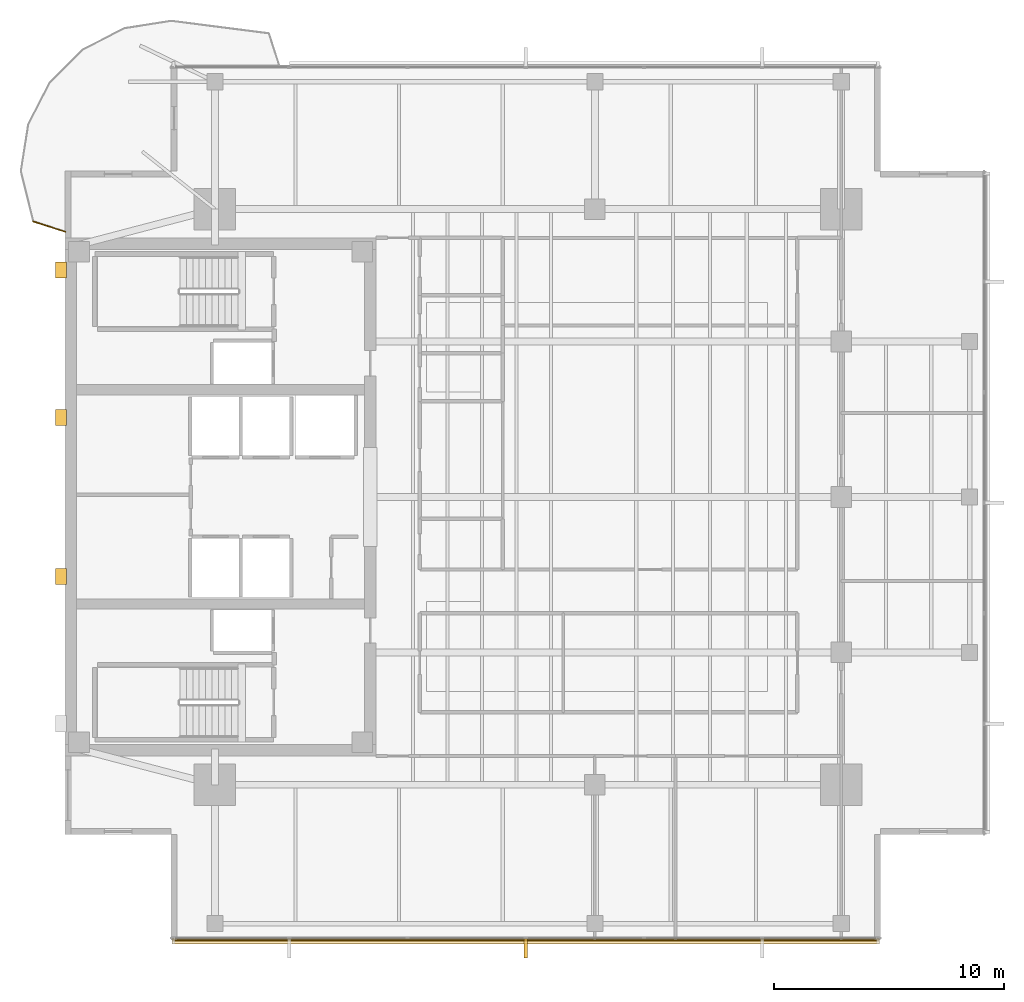
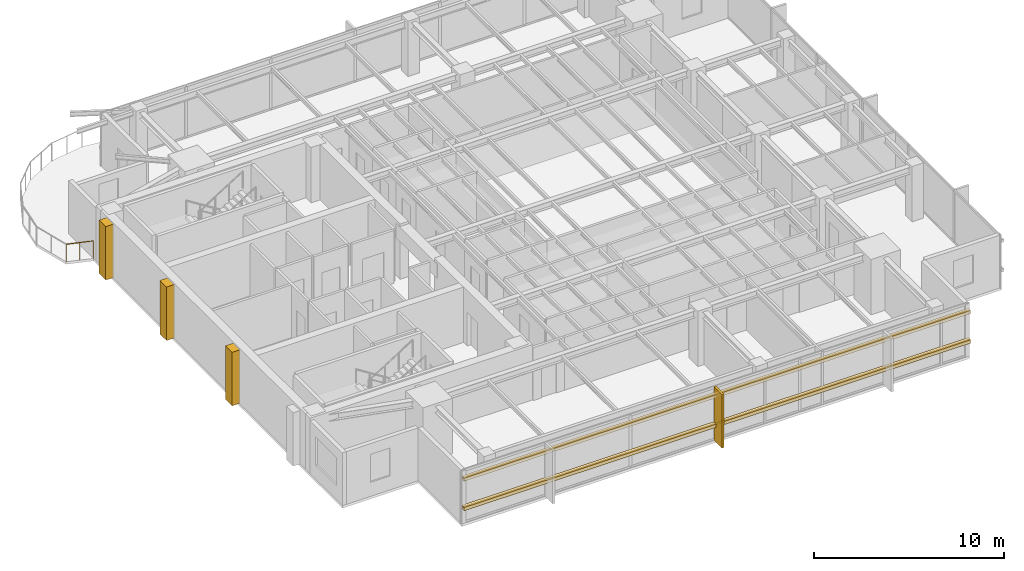
# One storey, part 12 of 14: 6 coverings, 2 shading devices, 1 railing.
"""IFC4 building model written with IfcOpenShell, lengths in metres."""

import ifcopenshell
import ifcopenshell.guid

model = None  # the IFC model being written
_history = None  # IfcOwnerHistory: only IFC2X3 demands one
_inside = {}  # id of a spatial element -> (the spatial element, [elements in it])
_under = {}  # id of a project, library or spatial element -> (it, [spatial elements below it])
_declared = {}  # id of a project -> (the project, [libraries it declares])
_typed = {}  # id of a type object -> (the type object, [elements of that type])
_made_of = {}  # id of a material, layer set ... -> (it, [elements and type objects made of it])


def new_model(schema):
    """Start an empty IFC model of exactly this schema.

    Asked for "IFC4X3", IfcOpenShell would pick the latest addendum, in which some entities
    have other attributes; the version numbers below select the first issue.
    IFC2X3 requires an IfcOwnerHistory on every rooted entity: one is made here for all.
    """
    global model, _history
    if schema == "IFC4X3":
        model = ifcopenshell.file(schema_version=(4, 3, 0, 0))
    else:
        model = ifcopenshell.file(schema=schema)
    _inside.clear()
    _under.clear()
    _declared.clear()
    _typed.clear()
    _made_of.clear()
    _history = None
    if model.schema == "IFC2X3":
        org = make("IfcOrganization", Name="unknown")
        user = make(
            "IfcPersonAndOrganization",
            ThePerson=make("IfcPerson", FamilyName="unknown"),
            TheOrganization=org,
        )
        app = make(
            "IfcApplication",
            ApplicationDeveloper=org,
            Version="unknown",
            ApplicationFullName="unknown",
            ApplicationIdentifier="unknown",
        )
        _history = make(
            "IfcOwnerHistory",
            OwningUser=user,
            OwningApplication=app,
            ChangeAction="ADDED",
            CreationDate=0,
        )
    return model


def make(cls, **values):
    """One entity of the class cls with the attributes given. An attribute that is None is left unset."""
    return model.create_entity(
        cls, **{name: value for name, value in values.items() if value is not None}
    )


def rooted(cls, **values):
    """An entity with a GlobalId (a new one), such as an element, a storey or a relation."""
    return make(cls, GlobalId=ifcopenshell.guid.new(), OwnerHistory=_history, **values)


def si_unit(unit_type, name, prefix=None):
    """IfcSIUnit, for example si_unit("LENGTHUNIT", "METRE", prefix="MILLI")."""
    return make("IfcSIUnit", UnitType=unit_type, Prefix=prefix, Name=name)


def assignment(units):
    """IfcUnitAssignment: the units of a project."""
    return None if units is None else make("IfcUnitAssignment", Units=units)


def point(xyz):
    """IfcCartesianPoint."""
    return None if xyz is None else make("IfcCartesianPoint", Coordinates=xyz)


def direction(xyz):
    """IfcDirection."""
    return None if xyz is None else make("IfcDirection", DirectionRatios=xyz)


def frame(location, z_axis=None, x_axis=None):
    """IfcAxis2Placement3D, a coordinate frame: its origin and axes. An axis left out is left unset."""
    return make(
        "IfcAxis2Placement3D",
        Location=point(location),
        Axis=direction(z_axis),
        RefDirection=direction(x_axis),
    )


def frame_2d(location, x_axis=None):
    """IfcAxis2Placement2D, a coordinate frame in the plane: its origin and x axis."""
    return make(
        "IfcAxis2Placement2D", Location=point(location), RefDirection=direction(x_axis)
    )


def origin():
    """The frame at (0, 0, 0) with its axes left unset."""
    return frame((0.0, 0.0, 0.0))


def origin_2d():
    """The frame at (0, 0) in the plane with its x axis left unset."""
    return frame_2d((0.0, 0.0))


def place(relative_to, where):
    """IfcLocalPlacement: puts the frame where relative to a parent placement (None: the world)."""
    return make(
        "IfcLocalPlacement", PlacementRelTo=relative_to, RelativePlacement=where
    )


def context(
    kind, dimensions, precision=None, world=None, true_north=None, identifier=None
):
    """IfcGeometricRepresentationContext, for example the 3D "Model" context."""
    return make(
        "IfcGeometricRepresentationContext",
        ContextIdentifier=identifier,
        ContextType=kind,
        CoordinateSpaceDimension=dimensions,
        Precision=precision,
        WorldCoordinateSystem=world,
        TrueNorth=true_north,
    )


def subcontext(parent, identifier, kind, view, scale=None):
    """IfcGeometricRepresentationSubContext, for example "Body" below "Model"."""
    return make(
        "IfcGeometricRepresentationSubContext",
        ContextIdentifier=identifier,
        ContextType=kind,
        ParentContext=parent,
        TargetScale=scale,
        TargetView=view,
    )


def project(units=None, contexts=None):
    """IfcProject with its units and contexts."""
    return rooted(
        "IfcProject",
        Name="project",
        RepresentationContexts=contexts,
        UnitsInContext=assignment(units),
    )


def spatial(cls, under=None, at=None, **own):
    """A site, building, storey or space (cls), placed at a placement, below another one or the project."""
    s = rooted(cls, ObjectPlacement=at, **own)
    if under is not None:
        _under.setdefault(under.id(), (under, []))[1].append(s)
    return s


def polyline(points):
    """IfcPolyline through the points."""
    return make("IfcPolyline", Points=[point(p) for p in points])


def profile(cls, at=None, kind="AREA", **sizes):
    """A parametric profile (cls). Its sizes go by their IFC names, for example OverallWidth=200.0."""
    return make(cls, ProfileType=kind, Position=at, **sizes)


def rectangle(**sizes):
    """IfcRectangleProfileDef."""
    return profile("IfcRectangleProfileDef", **sizes)


def circle(**sizes):
    """IfcCircleProfileDef."""
    return profile("IfcCircleProfileDef", **sizes)


def outline(outer, holes=None, kind="AREA"):
    """IfcArbitraryClosedProfileDef: a profile drawn as a closed curve; with holes, ...WithVoids."""
    if holes is None:
        return make("IfcArbitraryClosedProfileDef", ProfileType=kind, OuterCurve=outer)
    return make(
        "IfcArbitraryProfileDefWithVoids",
        ProfileType=kind,
        OuterCurve=outer,
        InnerCurves=holes,
    )


def extrude(swept, where, along, depth):
    """IfcExtrudedAreaSolid: the profile swept, set in the frame where, extruded along a direction by depth."""
    return make(
        "IfcExtrudedAreaSolid",
        SweptArea=swept,
        Position=where,
        ExtrudedDirection=direction(along),
        Depth=depth,
    )


def shape(context_of_items, identifier, shape_type, items):
    """IfcShapeRepresentation: the items that make up one representation, for example the "Body"."""
    return make(
        "IfcShapeRepresentation",
        ContextOfItems=context_of_items,
        RepresentationIdentifier=identifier,
        RepresentationType=shape_type,
        Items=items,
    )


def material(Name=None, Category=None):
    """IfcMaterial."""
    return make("IfcMaterial", Name=Name, Category=Category)


def layer(
    of_material, thickness, ventilated=None, Name=None, Category=None, Priority=None
):
    """IfcMaterialLayer: one layer of a wall or slab, of a material (None: an air gap)."""
    return make(
        "IfcMaterialLayer",
        Material=of_material,
        LayerThickness=thickness,
        IsVentilated=ventilated,
        Name=Name,
        Category=Category,
        Priority=Priority,
    )


def layer_set(layers, Name=None):
    """IfcMaterialLayerSet."""
    return make("IfcMaterialLayerSet", MaterialLayers=layers, LayerSetName=Name)


def material_profile(
    of_material, cross_section, Name=None, Category=None, Priority=None
):
    """IfcMaterialProfile: a cross section and its material."""
    return make(
        "IfcMaterialProfile",
        Name=Name,
        Material=of_material,
        Profile=cross_section,
        Priority=Priority,
        Category=Category,
    )


def profile_set(profiles, Name=None, composite=None):
    """IfcMaterialProfileSet."""
    return make(
        "IfcMaterialProfileSet",
        Name=Name,
        MaterialProfiles=profiles,
        CompositeProfile=composite,
    )


def made_of(thing, what):
    """Note that an element or type object is made of a material, layer set ...; save() writes the relation."""
    if what is not None:
        _made_of.setdefault(what.id(), (what, []))[1].append(thing)
    return thing


def type_object(cls, material=None, **own):
    """A type object (cls), such as IfcWallType, which elements share."""
    return made_of(rooted(cls, **own), material)


def element(
    cls,
    number,
    at=None,
    inside=None,
    cuts=None,
    type_object=None,
    material=None,
    context=None,
    identifier="Body",
    shape_type=None,
    held_by="IfcProductDefinitionShape",
    body=None,
    shapes=None,
    **own,
):
    """One element of the class cls, such as IfcWall. Its Tag is "e" and its number.

    at: its placement. inside: the storey or other place that contains it. cuts: it is an
    opening in that element (IfcRelVoidsElement). A single representation is given by context,
    identifier, shape_type and body (its items); several are given by shapes. held_by: the class
    of the entity that holds the representations. save() writes the other relations.
    """
    e = rooted(cls, Tag="e%d" % number, ObjectPlacement=at, **own)
    if body is not None:
        shapes = [shape(context, identifier, shape_type, body)]
    if shapes is not None:
        e.Representation = make(held_by, Representations=shapes)
    if inside is not None:
        _inside.setdefault(inside.id(), (inside, []))[1].append(e)
    if cuts is not None:
        rooted(
            "IfcRelVoidsElement", RelatingBuildingElement=cuts, RelatedOpeningElement=e
        )
    if type_object is not None:
        _typed.setdefault(type_object.id(), (type_object, []))[1].append(e)
    return made_of(e, material)


def aggregate(whole, parts):
    """IfcRelAggregates: a whole, such as a stair, and the parts it consists of."""
    return rooted("IfcRelAggregates", RelatingObject=whole, RelatedObjects=parts)


def save(model, path):
    """Write the relations noted so far, then the file.

    IfcRelAggregates (storeys below a building ...), IfcRelContainedInSpatialStructure (elements
    in a storey), IfcRelDefinesByType, IfcRelAssociatesMaterial and IfcRelDeclares: one each for
    every whole, place, type object, material and project.
    """
    for whole, parts in _under.values():
        aggregate(whole, parts)
    for where, things in _inside.values():
        rooted(
            "IfcRelContainedInSpatialStructure",
            RelatedElements=things,
            RelatingStructure=where,
        )
    for kind, things in _typed.values():
        rooted("IfcRelDefinesByType", RelatedObjects=things, RelatingType=kind)
    for what, things in _made_of.values():
        rooted("IfcRelAssociatesMaterial", RelatedObjects=things, RelatingMaterial=what)
    for by, libraries in _declared.values():
        rooted("IfcRelDeclares", RelatingContext=by, RelatedDefinitions=libraries)
    model.write(path)


model = new_model("IFC4")

# Units and contexts
model_context = context("Model", 3, precision=1e-05, world=origin(), true_north=direction((0.0, 1.0)))
body_context = subcontext(model_context, "Body", "Model", "MODEL_VIEW")
ifc_project = project(units=[si_unit("LENGTHUNIT", "METRE"), si_unit("AREAUNIT", "SQUARE_METRE"), si_unit("VOLUMEUNIT", "CUBIC_METRE"), si_unit("PLANEANGLEUNIT", "RADIAN"), si_unit("MASSUNIT", "GRAM", prefix="KILO")], contexts=[model_context])

# Site, building, storey
site_placement = place(None, origin())
site = spatial("IfcSite", under=ifc_project, at=site_placement, CompositionType="ELEMENT")
building_placement = place(site_placement, origin())
building = spatial("IfcBuilding", under=site, at=building_placement, Name="Kinhvarn Gate Tower", CompositionType="ELEMENT")
storey_placement = place(building_placement, frame((0.0, 0.0, 277.64990234375)))
storey = spatial("IfcBuildingStorey", under=building, at=storey_placement, Name="L74", CompositionType="ELEMENT", Elevation=277.64990234375)

# Coverings
ifc_material_1 = material(Name="Fired architectural terracotta", Category="masonry")
ifc_layer_1 = layer(ifc_material_1, 0.239990234375)
ifc_layer_set_1 = layer_set([ifc_layer_1], Name="Fired architectural terracotta")
covering_type_1 = type_object("IfcCoveringType", Name="COV-BAG-220", PredefinedType="CLADDING", material=ifc_layer_set_1)
for number, where, name in (
    (1, (0.0, 0.0, 0.940185546875), "Terracotta Horizontal Sunscreen Band TBG-220 (L74)"),
    (2, (0.0, 0.0, 2.830078125), "Terracotta Horizontal Sunscreen Band TBG-220 (L74)"),
):
    element("IfcCovering", number, at=place(storey_placement, frame(where)), inside=storey, type_object=covering_type_1, Name=name, PredefinedType="CLADDING", context=body_context, shape_type="SweptSolid", body=[
        extrude(outline(polyline([(9.139892578125, 6.070068359375), (39.860107421875, 6.070068359375), (39.860107421875, 5.830078125), (9.139892578125, 5.830078125), (9.139892578125, 6.070068359375)])), origin(), (0.0, 0.0, 1.0), 0.219970703125),
    ])
ifc_layer_2 = layer(ifc_material_1, 0.139892578125)
ifc_layer_set_2 = layer_set([ifc_layer_2], Name="Fired architectural terracotta")
covering_type_2 = type_object("IfcCoveringType", Name="COV-FIN-850", PredefinedType="CLADDING", material=ifc_layer_set_2)
covering_1_placement = place(storey_placement, frame((0.0, 0.0, -0.02001953125)))
element("IfcCovering", 3, at=covering_1_placement, inside=storey, type_object=covering_type_2, Name="Vertical Terracotta Expressive Fin TFN-850 (L74)", PredefinedType="CLADDING", context=body_context, shape_type="SweptSolid", body=[
    extrude(outline(polyline([(24.429931640625, 6.080078125), (24.570068359375, 6.080078125), (24.570068359375, 5.22998046875), (24.429931640625, 5.22998046875), (24.429931640625, 6.080078125)])), origin(), (0.0, 0.0, 1.0), 3.43017578125),
])
ifc_material_2 = material(Name="Precast white architectural concrete C40/50", Category="concrete")
ifc_layer_3 = layer(ifc_material_2, 0.47998046875)
ifc_layer_set_3 = layer_set([ifc_layer_3], Name="Precast white architectural concrete C40/50")
covering_type_3 = type_object("IfcCoveringType", Name="COV-RIB-450", PredefinedType="CLADDING", material=ifc_layer_set_3)
covering_2_placement = place(storey_placement, frame((0.0, 0.0, -0.02001953125)))
element("IfcCovering", 4, at=covering_2_placement, inside=storey, type_object=covering_type_3, Name="West Core Sculptural Concrete Relief Rib CRB-450 (L74)", PredefinedType="CLADDING", context=body_context, shape_type="SweptSolid", body=[
    extrude(outline(polyline([(4.080078125, 21.449951171875), (4.56005859375, 21.449951171875), (4.56005859375, 22.14990234375), (4.080078125, 22.14990234375), (4.080078125, 21.449951171875)])), origin(), (0.0, 0.0, 1.0), 3.43017578125),
])
covering_3_placement = place(storey_placement, frame((0.0, 0.0, -0.02001953125)))
element("IfcCovering", 5, at=covering_3_placement, inside=storey, type_object=covering_type_3, Name="West Core Sculptural Concrete Relief Rib CRB-450 (L74)", PredefinedType="CLADDING", context=body_context, shape_type="SweptSolid", body=[
    extrude(outline(polyline([(4.080078125, 28.35009765625), (4.56005859375, 28.35009765625), (4.56005859375, 29.050048828125), (4.080078125, 29.050048828125), (4.080078125, 28.35009765625)])), origin(), (0.0, 0.0, 1.0), 3.43017578125),
])
covering_4_placement = place(storey_placement, frame((0.0, 0.0, -0.02001953125)))
element("IfcCovering", 6, at=covering_4_placement, inside=storey, type_object=covering_type_3, Name="West Core Sculptural Concrete Relief Rib CRB-450 (L74)", PredefinedType="CLADDING", context=body_context, shape_type="SweptSolid", body=[
    extrude(outline(polyline([(4.080078125, 34.75), (4.56005859375, 34.75), (4.56005859375, 35.449951171875), (4.080078125, 35.449951171875), (4.080078125, 34.75)])), origin(), (0.0, 0.0, 1.0), 3.43017578125),
])

# Railing
ifc_material_3 = material(Name="Clear low-e double glazing", Category="glass")
railing_type = type_object("IfcRailingType", Name="RL-BAL-1150", PredefinedType="BALUSTRADE", material=ifc_material_3)
railing_placement = place(storey_placement, frame((3.10400390625, 37.217041015625, 0.0)))
element("IfcRailing", 7, at=railing_placement, inside=storey, type_object=railing_type, Name="S-Carve Balcony Guardrail Seg 9 (L74)", PredefinedType="BALUSTRADE", context=body_context, shape_type="SweptSolid", body=[
    extrude(circle(Radius=0.02392578125, at=origin_2d()), frame((0.0, 0.0, 1.1259765625), z_axis=(0.951782325697, -0.306774191371, 0.0), x_axis=(0.306774191371, 0.951782325697, 0.0)), (0.0, 0.0, 1.0), 1.466796875),
    extrude(circle(Radius=0.02099609375, at=origin_2d()), origin(), (0.0, 0.0, 1.0), 1.101806640625),
    extrude(circle(Radius=0.02099609375, at=origin_2d()), frame((0.697998046875, -0.22509765625, 0.0)), (0.0, 0.0, 1.0), 1.101806640625),
    extrude(circle(Radius=0.02099609375, at=origin_2d()), frame((1.39599609375, -0.449951171875, 0.0)), (0.0, 0.0, 1.0), 1.101806640625),
])

# Shading devices
ifc_material_profile = material_profile(ifc_material_1, rectangle(XDim=0.050048828125, YDim=0.1201171875, at=origin_2d()), Name="TC 50x120")
ifc_profile_set = profile_set([ifc_material_profile], Name="Fired architectural terracotta")
shading_device_type = type_object("IfcShadingDeviceType", Name="SHD-BAG-140", PredefinedType="USERDEFINED", material=ifc_profile_set)
for number, where, z_axis, x_axis, name in (
    (8, (9.139892578125, 6.0, 1.050048828125), (1.0, 0.0, 0.0), (0.0, 1.0, 0.0), "Upper Tower Terracotta Baguette Screen Rod 50x120 mm (L74)"),
    (9, (9.139892578125, 6.0, 2.940185546875), (1.0, 0.0, 0.0), (0.0, 1.0, 0.0), "Upper Tower Terracotta Baguette Screen Rod 50x120 mm (L74)"),
):
    element("IfcShadingDevice", number, at=place(storey_placement, frame(where, z_axis=z_axis, x_axis=x_axis)), inside=storey, type_object=shading_device_type, Name=name, ObjectType="BAGUETTE", PredefinedType="USERDEFINED", context=body_context, shape_type="SweptSolid", body=[
        extrude(rectangle(XDim=0.050048828125, YDim=0.1201171875, at=origin_2d()), origin(), (0.0, 0.0, 1.0), 30.72021484375),
    ])

save(model, "model.ifc")
